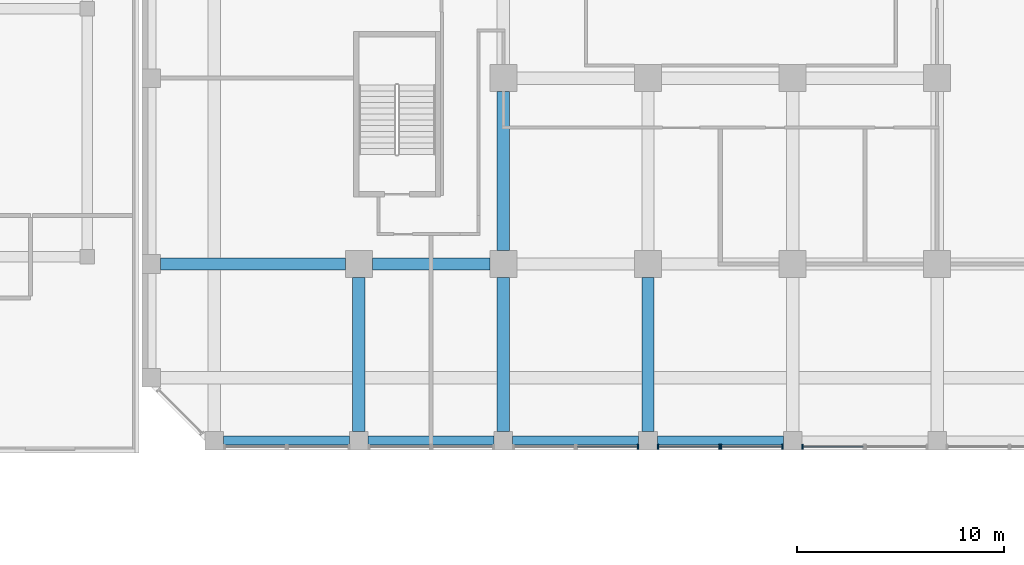
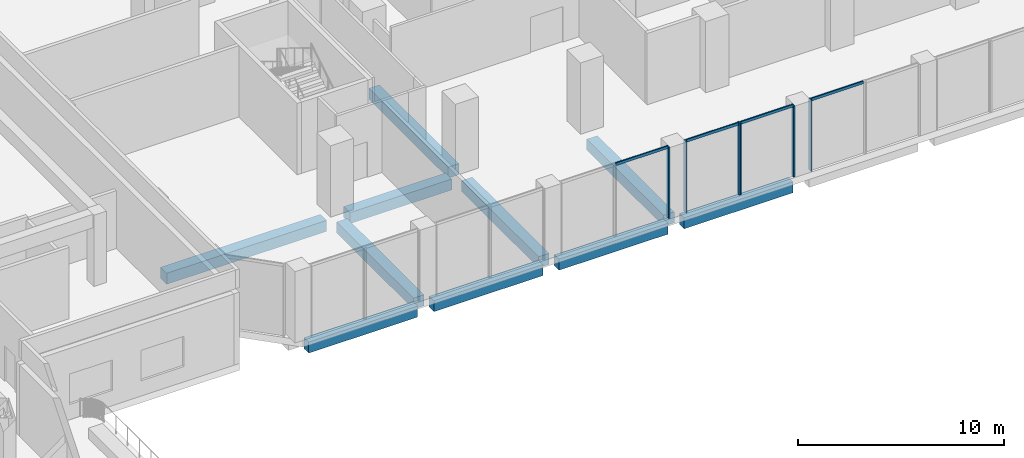
# One storey, part 3 of 35: 10 beams, 10 members, 4 elements without a shape of their own.
"""IFC4 building model written with IfcOpenShell, lengths in metres."""

import ifcopenshell
import ifcopenshell.guid

model = None  # the IFC model being written
_history = None  # IfcOwnerHistory: only IFC2X3 demands one
_inside = {}  # id of a spatial element -> (the spatial element, [elements in it])
_under = {}  # id of a project, library or spatial element -> (it, [spatial elements below it])
_declared = {}  # id of a project -> (the project, [libraries it declares])
_typed = {}  # id of a type object -> (the type object, [elements of that type])
_made_of = {}  # id of a material, layer set ... -> (it, [elements and type objects made of it])


def new_model(schema):
    """Start an empty IFC model of exactly this schema.

    Asked for "IFC4X3", IfcOpenShell would pick the latest addendum, in which some entities
    have other attributes; the version numbers below select the first issue.
    IFC2X3 requires an IfcOwnerHistory on every rooted entity: one is made here for all.
    """
    global model, _history
    if schema == "IFC4X3":
        model = ifcopenshell.file(schema_version=(4, 3, 0, 0))
    else:
        model = ifcopenshell.file(schema=schema)
    _inside.clear()
    _under.clear()
    _declared.clear()
    _typed.clear()
    _made_of.clear()
    _history = None
    if model.schema == "IFC2X3":
        org = make("IfcOrganization", Name="unknown")
        user = make(
            "IfcPersonAndOrganization",
            ThePerson=make("IfcPerson", FamilyName="unknown"),
            TheOrganization=org,
        )
        app = make(
            "IfcApplication",
            ApplicationDeveloper=org,
            Version="unknown",
            ApplicationFullName="unknown",
            ApplicationIdentifier="unknown",
        )
        _history = make(
            "IfcOwnerHistory",
            OwningUser=user,
            OwningApplication=app,
            ChangeAction="ADDED",
            CreationDate=0,
        )
    return model


def make(cls, **values):
    """One entity of the class cls with the attributes given. An attribute that is None is left unset."""
    return model.create_entity(
        cls, **{name: value for name, value in values.items() if value is not None}
    )


def rooted(cls, **values):
    """An entity with a GlobalId (a new one), such as an element, a storey or a relation."""
    return make(cls, GlobalId=ifcopenshell.guid.new(), OwnerHistory=_history, **values)


def si_unit(unit_type, name, prefix=None):
    """IfcSIUnit, for example si_unit("LENGTHUNIT", "METRE", prefix="MILLI")."""
    return make("IfcSIUnit", UnitType=unit_type, Prefix=prefix, Name=name)


def assignment(units):
    """IfcUnitAssignment: the units of a project."""
    return None if units is None else make("IfcUnitAssignment", Units=units)


def point(xyz):
    """IfcCartesianPoint."""
    return None if xyz is None else make("IfcCartesianPoint", Coordinates=xyz)


def direction(xyz):
    """IfcDirection."""
    return None if xyz is None else make("IfcDirection", DirectionRatios=xyz)


def frame(location, z_axis=None, x_axis=None):
    """IfcAxis2Placement3D, a coordinate frame: its origin and axes. An axis left out is left unset."""
    return make(
        "IfcAxis2Placement3D",
        Location=point(location),
        Axis=direction(z_axis),
        RefDirection=direction(x_axis),
    )


def frame_2d(location, x_axis=None):
    """IfcAxis2Placement2D, a coordinate frame in the plane: its origin and x axis."""
    return make(
        "IfcAxis2Placement2D", Location=point(location), RefDirection=direction(x_axis)
    )


def origin():
    """The frame at (0, 0, 0) with its axes left unset."""
    return frame((0.0, 0.0, 0.0))


def origin_2d():
    """The frame at (0, 0) in the plane with its x axis left unset."""
    return frame_2d((0.0, 0.0))


def place(relative_to, where):
    """IfcLocalPlacement: puts the frame where relative to a parent placement (None: the world)."""
    return make(
        "IfcLocalPlacement", PlacementRelTo=relative_to, RelativePlacement=where
    )


def context(
    kind, dimensions, precision=None, world=None, true_north=None, identifier=None
):
    """IfcGeometricRepresentationContext, for example the 3D "Model" context."""
    return make(
        "IfcGeometricRepresentationContext",
        ContextIdentifier=identifier,
        ContextType=kind,
        CoordinateSpaceDimension=dimensions,
        Precision=precision,
        WorldCoordinateSystem=world,
        TrueNorth=true_north,
    )


def subcontext(parent, identifier, kind, view, scale=None):
    """IfcGeometricRepresentationSubContext, for example "Body" below "Model"."""
    return make(
        "IfcGeometricRepresentationSubContext",
        ContextIdentifier=identifier,
        ContextType=kind,
        ParentContext=parent,
        TargetScale=scale,
        TargetView=view,
    )


def project(units=None, contexts=None):
    """IfcProject with its units and contexts."""
    return rooted(
        "IfcProject",
        Name="project",
        RepresentationContexts=contexts,
        UnitsInContext=assignment(units),
    )


def spatial(cls, under=None, at=None, **own):
    """A site, building, storey or space (cls), placed at a placement, below another one or the project."""
    s = rooted(cls, ObjectPlacement=at, **own)
    if under is not None:
        _under.setdefault(under.id(), (under, []))[1].append(s)
    return s


def profile(cls, at=None, kind="AREA", **sizes):
    """A parametric profile (cls). Its sizes go by their IFC names, for example OverallWidth=200.0."""
    return make(cls, ProfileType=kind, Position=at, **sizes)


def rectangle(**sizes):
    """IfcRectangleProfileDef."""
    return profile("IfcRectangleProfileDef", **sizes)


def extrude(swept, where, along, depth):
    """IfcExtrudedAreaSolid: the profile swept, set in the frame where, extruded along a direction by depth."""
    return make(
        "IfcExtrudedAreaSolid",
        SweptArea=swept,
        Position=where,
        ExtrudedDirection=direction(along),
        Depth=depth,
    )


def shape(context_of_items, identifier, shape_type, items):
    """IfcShapeRepresentation: the items that make up one representation, for example the "Body"."""
    return make(
        "IfcShapeRepresentation",
        ContextOfItems=context_of_items,
        RepresentationIdentifier=identifier,
        RepresentationType=shape_type,
        Items=items,
    )


def source(mapping_origin, context_of_items, identifier, shape_type, items):
    """IfcRepresentationMap: a shape defined once, which mapped items show again and again."""
    return make(
        "IfcRepresentationMap",
        MappingOrigin=mapping_origin,
        MappedRepresentation=shape(context_of_items, identifier, shape_type, items),
    )


def transform(
    local_origin,
    x_axis=None,
    y_axis=None,
    z_axis=None,
    scale=None,
    scale2=None,
    scale3=None,
    uniform=True,
):
    """IfcCartesianTransformationOperator3D, or its non-uniform kind. x_axis, y_axis, z_axis: its Axis1, 2, 3."""
    if uniform:
        return make(
            "IfcCartesianTransformationOperator3D",
            Axis1=direction(x_axis),
            Axis2=direction(y_axis),
            LocalOrigin=point(local_origin),
            Scale=scale,
            Axis3=direction(z_axis),
        )
    return make(
        "IfcCartesianTransformationOperator3DnonUniform",
        Axis1=direction(x_axis),
        Axis2=direction(y_axis),
        LocalOrigin=point(local_origin),
        Scale=scale,
        Axis3=direction(z_axis),
        Scale2=scale2,
        Scale3=scale3,
    )


def mapped(mapping_source, mapping_target):
    """IfcMappedItem: shows the shape of a source again, moved by a transform."""
    return make(
        "IfcMappedItem", MappingSource=mapping_source, MappingTarget=mapping_target
    )


def material(Name=None, Category=None):
    """IfcMaterial."""
    return make("IfcMaterial", Name=Name, Category=Category)


def material_profile(
    of_material, cross_section, Name=None, Category=None, Priority=None
):
    """IfcMaterialProfile: a cross section and its material."""
    return make(
        "IfcMaterialProfile",
        Name=Name,
        Material=of_material,
        Profile=cross_section,
        Priority=Priority,
        Category=Category,
    )


def profile_set(profiles, Name=None, composite=None):
    """IfcMaterialProfileSet."""
    return make(
        "IfcMaterialProfileSet",
        Name=Name,
        MaterialProfiles=profiles,
        CompositeProfile=composite,
    )


def made_of(thing, what):
    """Note that an element or type object is made of a material, layer set ...; save() writes the relation."""
    if what is not None:
        _made_of.setdefault(what.id(), (what, []))[1].append(thing)
    return thing


def type_object(cls, material=None, **own):
    """A type object (cls), such as IfcWallType, which elements share."""
    return made_of(rooted(cls, **own), material)


def element(
    cls,
    number,
    at=None,
    inside=None,
    cuts=None,
    type_object=None,
    material=None,
    context=None,
    identifier="Body",
    shape_type=None,
    held_by="IfcProductDefinitionShape",
    body=None,
    shapes=None,
    **own,
):
    """One element of the class cls, such as IfcWall. Its Tag is "e" and its number.

    at: its placement. inside: the storey or other place that contains it. cuts: it is an
    opening in that element (IfcRelVoidsElement). A single representation is given by context,
    identifier, shape_type and body (its items); several are given by shapes. held_by: the class
    of the entity that holds the representations. save() writes the other relations.
    """
    e = rooted(cls, Tag="e%d" % number, ObjectPlacement=at, **own)
    if body is not None:
        shapes = [shape(context, identifier, shape_type, body)]
    if shapes is not None:
        e.Representation = make(held_by, Representations=shapes)
    if inside is not None:
        _inside.setdefault(inside.id(), (inside, []))[1].append(e)
    if cuts is not None:
        rooted(
            "IfcRelVoidsElement", RelatingBuildingElement=cuts, RelatedOpeningElement=e
        )
    if type_object is not None:
        _typed.setdefault(type_object.id(), (type_object, []))[1].append(e)
    return made_of(e, material)


def aggregate(whole, parts):
    """IfcRelAggregates: a whole, such as a stair, and the parts it consists of."""
    return rooted("IfcRelAggregates", RelatingObject=whole, RelatedObjects=parts)


def save(model, path):
    """Write the relations noted so far, then the file.

    IfcRelAggregates (storeys below a building ...), IfcRelContainedInSpatialStructure (elements
    in a storey), IfcRelDefinesByType, IfcRelAssociatesMaterial and IfcRelDeclares: one each for
    every whole, place, type object, material and project.
    """
    for whole, parts in _under.values():
        aggregate(whole, parts)
    for where, things in _inside.values():
        rooted(
            "IfcRelContainedInSpatialStructure",
            RelatedElements=things,
            RelatingStructure=where,
        )
    for kind, things in _typed.values():
        rooted("IfcRelDefinesByType", RelatedObjects=things, RelatingType=kind)
    for what, things in _made_of.values():
        rooted("IfcRelAssociatesMaterial", RelatedObjects=things, RelatingMaterial=what)
    for by, libraries in _declared.values():
        rooted("IfcRelDeclares", RelatingContext=by, RelatedDefinitions=libraries)
    model.write(path)


model = new_model("IFC4")

# Units and contexts
model_context = context("Model", 3, precision=1e-05, world=origin(), true_north=direction((0.0, 1.0)))
body_context = subcontext(model_context, "Body", "Model", "MODEL_VIEW")
ifc_project = project(units=[si_unit("LENGTHUNIT", "METRE"), si_unit("AREAUNIT", "SQUARE_METRE"), si_unit("VOLUMEUNIT", "CUBIC_METRE"), si_unit("PLANEANGLEUNIT", "RADIAN"), si_unit("MASSUNIT", "GRAM", prefix="KILO")], contexts=[model_context])

# Site, building, storey
site_placement = place(None, origin())
site = spatial("IfcSite", under=ifc_project, at=site_placement, CompositionType="ELEMENT")
building_placement = place(site_placement, origin())
building = spatial("IfcBuilding", under=site, at=building_placement, Name="Kilnfold Tower and Market Hall", CompositionType="ELEMENT")
storey_placement = place(building_placement, frame((0.0, 0.0, 22.5)))
storey = spatial("IfcBuildingStorey", under=building, at=storey_placement, Name="L04", CompositionType="ELEMENT", Elevation=22.5)

# Beams
ifc_material_1 = material(Name="Concrete C45", Category="concrete")
ifc_material_profile_1 = material_profile(ifc_material_1, rectangle(XDim=0.449951171875, YDim=0.64990234375, at=origin_2d()), Name="RC 450x650")
ifc_profile_set_1 = profile_set([ifc_material_profile_1], Name="Concrete C45")
beam_type_1 = type_object("IfcBeamType", Name="EDGE BEAM 450X650 C45", PredefinedType="BEAM", material=ifc_profile_set_1)
shared_shape_1 = source(origin(), body_context, "Body", "SweptSolid", [
    extrude(rectangle(XDim=0.449951171875, YDim=0.64990234375, at=origin_2d()), origin(), (0.0, 0.0, 1.0), 6.10009765625),
])
for number, where, z_axis, x_axis, name in (
    (1, (-24.050048828125, -27.550048828125, -0.72509765625), (1.0, 0.0, 0.0), (0.0, 1.0, 0.0), "Beam EB650-B1.1"),
    (2, (-17.050048828125, -27.550048828125, -0.72509765625), (1.0, 0.0, 0.0), (0.0, 1.0, 0.0), "Beam EB650-B1.54"),
    (3, (-10.050048828125, -27.550048828125, -0.72509765625), (1.0, 0.0, 0.0), (0.0, 1.0, 0.0), "Beam EB650-B1.2"),
    (4, (-3.050048828125, -27.550048828125, -0.72509765625), (1.0, 0.0, 0.0), (0.0, 1.0, 0.0), "Beam EB650-B1.3"),
):
    element("IfcBeam", number, at=place(storey_placement, frame(where, z_axis=z_axis, x_axis=x_axis)), inside=storey, type_object=beam_type_1, Name=name, PredefinedType="BEAM", context=body_context, shape_type="MappedRepresentation", body=[
        mapped(shared_shape_1, transform((0.0, 0.0, 0.0))),
    ])
ifc_material_2 = material(Name="Concrete C45", Category="concrete")
ifc_material_profile_2 = material_profile(ifc_material_2, rectangle(XDim=0.60009765625, YDim=0.64990234375, at=origin_2d()), Name="RC 600x650")
ifc_profile_set_2 = profile_set([ifc_material_profile_2], Name="Concrete C45")
beam_type_2 = type_object("IfcBeamType", Name="BEAM 600X650 C45", PredefinedType="BEAM", material=ifc_profile_set_2)
shared_shape_2 = source(origin(), body_context, "Body", "SweptSolid", [
    extrude(rectangle(XDim=0.60009765625, YDim=0.64990234375, at=origin_2d()), origin(), (0.0, 0.0, 1.0), 8.9501953125),
])
beam_1_placement = place(storey_placement, frame((-27.10009765625, -19.0, -0.72509765625), z_axis=(1.0, 0.0, 0.0), x_axis=(0.0, 1.0, 0.0)))
element("IfcBeam", 5, at=beam_1_placement, inside=storey, type_object=beam_type_2, Name="Beam BB650-B1.7", PredefinedType="BEAM", context=body_context, shape_type="MappedRepresentation", body=[
    mapped(shared_shape_2, transform((0.0, 0.0, 0.0))),
])
shared_shape_3 = source(origin(), body_context, "Body", "SweptSolid", [
    extrude(rectangle(XDim=0.60009765625, YDim=0.64990234375, at=origin_2d()), origin(), (0.0, 0.0, 1.0), 5.7001953125),
])
beam_2_placement = place(storey_placement, frame((-16.85009765625, -19.0, -0.72509765625), z_axis=(1.0, 0.0, 0.0), x_axis=(0.0, 1.0, 0.0)))
element("IfcBeam", 6, at=beam_2_placement, inside=storey, type_object=beam_type_2, Name="Beam BB650-B1.56", PredefinedType="BEAM", context=body_context, shape_type="MappedRepresentation", body=[
    mapped(shared_shape_3, transform((0.0, 0.0, 0.0))),
])
shared_shape_4 = source(origin(), body_context, "Body", "SweptSolid", [
    extrude(rectangle(XDim=0.60009765625, YDim=0.64990234375, at=origin_2d()), origin(), (0.0, 0.0, 1.0), 7.4501953125),
])
for number, where, z_axis, x_axis, name in (
    (7, (-17.5, -27.10009765625, -0.72509765625), (0.0, 1.0, 0.0), (-1.0, 0.0, 0.0), "Beam BB650-B1.36"),
    (8, (-10.5, -27.10009765625, -0.72509765625), (0.0, 1.0, 0.0), (-1.0, 0.0, 0.0), "Beam BB650-B1.40"),
    (9, (-3.5, -27.10009765625, -0.72509765625), (0.0, 1.0, 0.0), (-1.0, 0.0, 0.0), "Beam BB650-B1.43"),
):
    element("IfcBeam", number, at=place(storey_placement, frame(where, z_axis=z_axis, x_axis=x_axis)), inside=storey, type_object=beam_type_2, Name=name, PredefinedType="BEAM", context=body_context, shape_type="MappedRepresentation", body=[
        mapped(shared_shape_4, transform((0.0, 0.0, 0.0))),
    ])
shared_shape_5 = source(origin(), body_context, "Body", "SweptSolid", [
    extrude(rectangle(XDim=0.60009765625, YDim=0.64990234375, at=origin_2d()), origin(), (0.0, 0.0, 1.0), 7.7001953125),
])
beam_3_placement = place(storey_placement, frame((-10.5, -18.35009765625, -0.72509765625), z_axis=(0.0, 1.0, 0.0), x_axis=(-1.0, 0.0, 0.0)))
element("IfcBeam", 10, at=beam_3_placement, inside=storey, type_object=beam_type_2, Name="Beam BB650-B1.41", PredefinedType="BEAM", context=body_context, shape_type="MappedRepresentation", body=[
    mapped(shared_shape_5, transform((0.0, 0.0, 0.0))),
])

# Curtain wall, member
ifc_material_3 = material(Name="Aluminium and double glazing", Category="aluminium")
curtain_wall_type = type_object("IfcCurtainWallType", Name="CW BASE PODIUM GLAZING", PredefinedType="NOTDEFINED", material=ifc_material_3)
curtain_wall_1_placement = place(storey_placement, origin())
curtain_wall_1 = element("IfcCurtainWall", 11, at=curtain_wall_1_placement, inside=storey, type_object=curtain_wall_type, Name="Curtain wall CW4 L04 S", PredefinedType="NOTDEFINED")
ifc_material_4 = material(Name="Aluminium", Category="aluminium")
ifc_material_profile_3 = material_profile(ifc_material_4, rectangle(XDim=0.070068359375, YDim=0.159912109375, at=origin_2d()), Name="TRANSOM 70x160")
ifc_profile_set_3 = profile_set([ifc_material_profile_3], Name="Aluminium")
member_type_1 = type_object("IfcMemberType", Name="TRANSOM 70X160", PredefinedType="USERDEFINED", material=ifc_profile_set_3)
shared_shape_6 = source(origin(), body_context, "Body", "SweptSolid", [
    extrude(rectangle(XDim=0.070068359375, YDim=0.159912109375, at=origin_2d()), origin(), (0.0, 0.0, 1.0), 2.909912109375),
])
member_1_placement = place(storey_placement, frame((-6.929931640625, -27.85009765625, 4.18505859375), z_axis=(1.0, 0.0, 0.0), x_axis=(0.0, 1.0, 0.0)))
member_1 = element("IfcMember", 12, at=member_1_placement, type_object=member_type_1, Name="CW4 transom 1.2", ObjectType="TRANSOM", PredefinedType="USERDEFINED", context=body_context, shape_type="MappedRepresentation", body=[
    mapped(shared_shape_6, transform((0.0, 0.0, 0.0))),
])

curtain_wall_2_placement = place(storey_placement, origin())
curtain_wall_2 = element("IfcCurtainWall", 13, at=curtain_wall_2_placement, inside=storey, type_object=curtain_wall_type, Name="Curtain wall CW4 L04 S", PredefinedType="NOTDEFINED")
member_2_placement = place(storey_placement, frame((-2.97998046875, -27.85009765625, 4.18505859375), z_axis=(1.0, 0.0, 0.0), x_axis=(0.0, 1.0, 0.0)))
member_2 = element("IfcMember", 14, at=member_2_placement, type_object=member_type_1, Name="CW4 transom 1.2", ObjectType="TRANSOM", PredefinedType="USERDEFINED", context=body_context, shape_type="MappedRepresentation", body=[
    mapped(shared_shape_6, transform((0.0, 0.0, 0.0))),
])

curtain_wall_3_placement = place(storey_placement, origin())
curtain_wall_3 = element("IfcCurtainWall", 15, at=curtain_wall_3_placement, inside=storey, type_object=curtain_wall_type, Name="Curtain wall CW4 L04 S", PredefinedType="NOTDEFINED")
member_3_placement = place(storey_placement, frame((0.070068359375, -27.85009765625, 4.18505859375), z_axis=(1.0, 0.0, 0.0), x_axis=(0.0, 1.0, 0.0)))
member_3 = element("IfcMember", 16, at=member_3_placement, type_object=member_type_1, Name="CW4 transom 1.2", ObjectType="TRANSOM", PredefinedType="USERDEFINED", context=body_context, shape_type="MappedRepresentation", body=[
    mapped(shared_shape_6, transform((0.0, 0.0, 0.0))),
])

curtain_wall_4_placement = place(storey_placement, origin())
curtain_wall_4 = element("IfcCurtainWall", 17, at=curtain_wall_4_placement, inside=storey, type_object=curtain_wall_type, Name="Curtain wall CW4 L04 S", PredefinedType="NOTDEFINED")
member_4_placement = place(storey_placement, frame((4.02001953125, -27.85009765625, 4.18505859375), z_axis=(1.0, 0.0, 0.0), x_axis=(0.0, 1.0, 0.0)))
member_4 = element("IfcMember", 18, at=member_4_placement, type_object=member_type_1, Name="CW4 transom 1.2", ObjectType="TRANSOM", PredefinedType="USERDEFINED", context=body_context, shape_type="MappedRepresentation", body=[
    mapped(shared_shape_6, transform((0.0, 0.0, 0.0))),
])

# Member
ifc_material_5 = material(Name="Aluminium", Category="aluminium")
ifc_material_profile_4 = material_profile(ifc_material_5, rectangle(XDim=0.070068359375, YDim=0.219970703125, at=origin_2d()), Name="MULLION 70x220")
ifc_profile_set_4 = profile_set([ifc_material_profile_4], Name="Aluminium")
member_type_2 = type_object("IfcMemberType", Name="MULLION 70X220", PredefinedType="MULLION", material=ifc_profile_set_4)
shared_shape_7 = source(origin(), body_context, "Body", "SweptSolid", [
    extrude(rectangle(XDim=0.070068359375, YDim=0.219970703125, at=origin_2d()), origin(), (0.0, 0.0, 1.0), 4.219970703125),
])
member_5_placement = place(storey_placement, frame((-3.985107421875, -27.85009765625, 0.0), z_axis=(0.0, 0.0, 1.0), x_axis=(1.0, 0.0, 0.0)))
member_5 = element("IfcMember", 19, at=member_5_placement, type_object=member_type_2, Name="CW4 mullion 2", PredefinedType="MULLION", context=body_context, shape_type="MappedRepresentation", body=[
    mapped(shared_shape_7, transform((0.0, 0.0, 0.0))),
])

aggregate(curtain_wall_1, [member_5, member_1])

member_6_placement = place(storey_placement, frame((-3.014892578125, -27.85009765625, 0.0), z_axis=(0.0, 0.0, 1.0), x_axis=(1.0, 0.0, 0.0)))
member_6 = element("IfcMember", 20, at=member_6_placement, type_object=member_type_2, Name="CW4 mullion 1", PredefinedType="MULLION", context=body_context, shape_type="MappedRepresentation", body=[
    mapped(shared_shape_7, transform((0.0, 0.0, 0.0))),
])

member_7_placement = place(storey_placement, frame((-0.034912109375, -27.85009765625, 0.0), z_axis=(0.0, 0.0, 1.0), x_axis=(1.0, 0.0, 0.0)))
member_7 = element("IfcMember", 21, at=member_7_placement, type_object=member_type_2, Name="CW4 mullion 2", PredefinedType="MULLION", context=body_context, shape_type="MappedRepresentation", body=[
    mapped(shared_shape_7, transform((0.0, 0.0, 0.0))),
])

aggregate(curtain_wall_2, [member_6, member_7, member_2])

member_8_placement = place(storey_placement, frame((0.034912109375, -27.85009765625, 0.0), z_axis=(0.0, 0.0, 1.0), x_axis=(1.0, 0.0, 0.0)))
member_8 = element("IfcMember", 22, at=member_8_placement, type_object=member_type_2, Name="CW4 mullion 1", PredefinedType="MULLION", context=body_context, shape_type="MappedRepresentation", body=[
    mapped(shared_shape_7, transform((0.0, 0.0, 0.0))),
])

member_9_placement = place(storey_placement, frame((3.014892578125, -27.85009765625, 0.0), z_axis=(0.0, 0.0, 1.0), x_axis=(1.0, 0.0, 0.0)))
member_9 = element("IfcMember", 23, at=member_9_placement, type_object=member_type_2, Name="CW4 mullion 2", PredefinedType="MULLION", context=body_context, shape_type="MappedRepresentation", body=[
    mapped(shared_shape_7, transform((0.0, 0.0, 0.0))),
])

aggregate(curtain_wall_3, [member_8, member_9, member_3])

member_10_placement = place(storey_placement, frame((3.985107421875, -27.85009765625, 0.0), z_axis=(0.0, 0.0, 1.0), x_axis=(1.0, 0.0, 0.0)))
member_10 = element("IfcMember", 24, at=member_10_placement, type_object=member_type_2, Name="CW4 mullion 1", PredefinedType="MULLION", context=body_context, shape_type="MappedRepresentation", body=[
    mapped(shared_shape_7, transform((0.0, 0.0, 0.0))),
])

aggregate(curtain_wall_4, [member_10, member_4])

save(model, "model.ifc")
